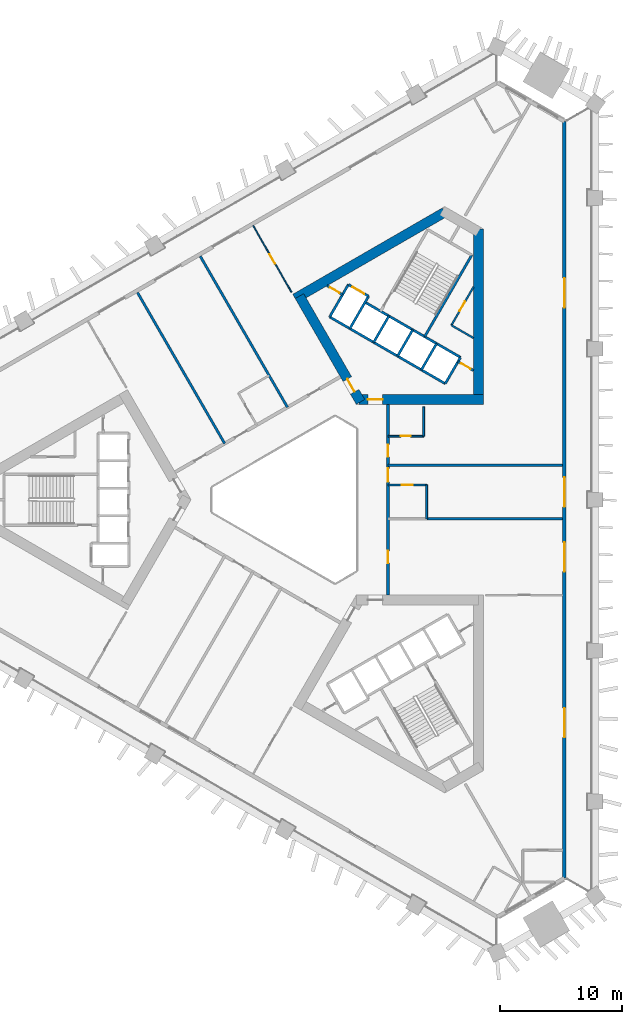
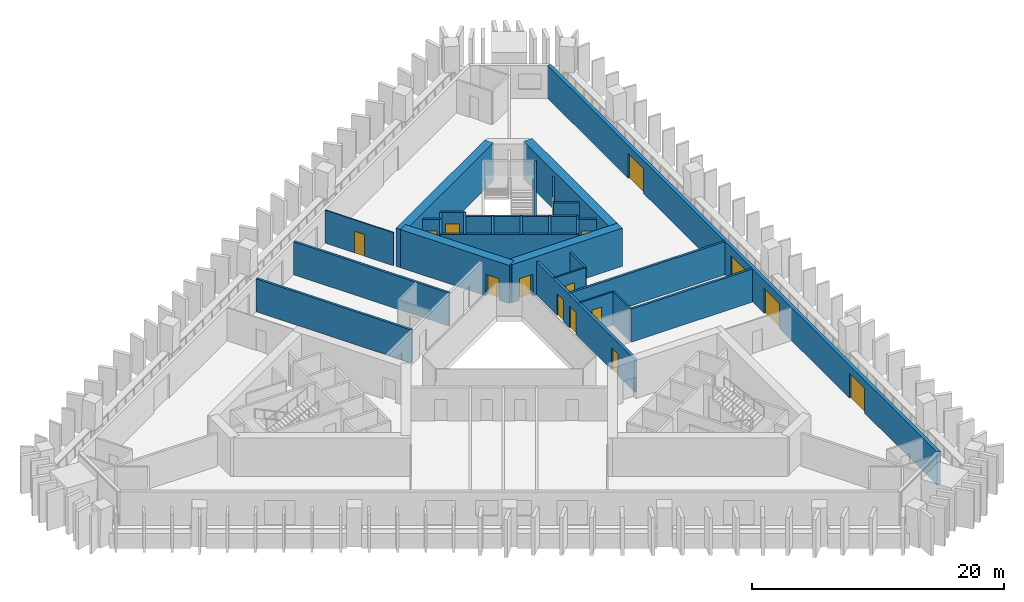
# One storey, part 5 of 10: 29 walls, 16 doors, 16 openings.
"""IFC4 building model written with IfcOpenShell, lengths in metres."""

import ifcopenshell
import ifcopenshell.guid

model = None  # the IFC model being written
_history = None  # IfcOwnerHistory: only IFC2X3 demands one
_inside = {}  # id of a spatial element -> (the spatial element, [elements in it])
_under = {}  # id of a project, library or spatial element -> (it, [spatial elements below it])
_declared = {}  # id of a project -> (the project, [libraries it declares])
_typed = {}  # id of a type object -> (the type object, [elements of that type])
_made_of = {}  # id of a material, layer set ... -> (it, [elements and type objects made of it])


def new_model(schema):
    """Start an empty IFC model of exactly this schema.

    Asked for "IFC4X3", IfcOpenShell would pick the latest addendum, in which some entities
    have other attributes; the version numbers below select the first issue.
    IFC2X3 requires an IfcOwnerHistory on every rooted entity: one is made here for all.
    """
    global model, _history
    if schema == "IFC4X3":
        model = ifcopenshell.file(schema_version=(4, 3, 0, 0))
    else:
        model = ifcopenshell.file(schema=schema)
    _inside.clear()
    _under.clear()
    _declared.clear()
    _typed.clear()
    _made_of.clear()
    _history = None
    if model.schema == "IFC2X3":
        org = make("IfcOrganization", Name="unknown")
        user = make(
            "IfcPersonAndOrganization",
            ThePerson=make("IfcPerson", FamilyName="unknown"),
            TheOrganization=org,
        )
        app = make(
            "IfcApplication",
            ApplicationDeveloper=org,
            Version="unknown",
            ApplicationFullName="unknown",
            ApplicationIdentifier="unknown",
        )
        _history = make(
            "IfcOwnerHistory",
            OwningUser=user,
            OwningApplication=app,
            ChangeAction="ADDED",
            CreationDate=0,
        )
    return model


def make(cls, **values):
    """One entity of the class cls with the attributes given. An attribute that is None is left unset."""
    return model.create_entity(
        cls, **{name: value for name, value in values.items() if value is not None}
    )


def rooted(cls, **values):
    """An entity with a GlobalId (a new one), such as an element, a storey or a relation."""
    return make(cls, GlobalId=ifcopenshell.guid.new(), OwnerHistory=_history, **values)


def si_unit(unit_type, name, prefix=None):
    """IfcSIUnit, for example si_unit("LENGTHUNIT", "METRE", prefix="MILLI")."""
    return make("IfcSIUnit", UnitType=unit_type, Prefix=prefix, Name=name)


def assignment(units):
    """IfcUnitAssignment: the units of a project."""
    return None if units is None else make("IfcUnitAssignment", Units=units)


def point(xyz):
    """IfcCartesianPoint."""
    return None if xyz is None else make("IfcCartesianPoint", Coordinates=xyz)


def direction(xyz):
    """IfcDirection."""
    return None if xyz is None else make("IfcDirection", DirectionRatios=xyz)


def frame(location, z_axis=None, x_axis=None):
    """IfcAxis2Placement3D, a coordinate frame: its origin and axes. An axis left out is left unset."""
    return make(
        "IfcAxis2Placement3D",
        Location=point(location),
        Axis=direction(z_axis),
        RefDirection=direction(x_axis),
    )


def frame_2d(location, x_axis=None):
    """IfcAxis2Placement2D, a coordinate frame in the plane: its origin and x axis."""
    return make(
        "IfcAxis2Placement2D", Location=point(location), RefDirection=direction(x_axis)
    )


def origin():
    """The frame at (0, 0, 0) with its axes left unset."""
    return frame((0.0, 0.0, 0.0))


def place(relative_to, where):
    """IfcLocalPlacement: puts the frame where relative to a parent placement (None: the world)."""
    return make(
        "IfcLocalPlacement", PlacementRelTo=relative_to, RelativePlacement=where
    )


def context(
    kind, dimensions, precision=None, world=None, true_north=None, identifier=None
):
    """IfcGeometricRepresentationContext, for example the 3D "Model" context."""
    return make(
        "IfcGeometricRepresentationContext",
        ContextIdentifier=identifier,
        ContextType=kind,
        CoordinateSpaceDimension=dimensions,
        Precision=precision,
        WorldCoordinateSystem=world,
        TrueNorth=true_north,
    )


def subcontext(parent, identifier, kind, view, scale=None):
    """IfcGeometricRepresentationSubContext, for example "Body" below "Model"."""
    return make(
        "IfcGeometricRepresentationSubContext",
        ContextIdentifier=identifier,
        ContextType=kind,
        ParentContext=parent,
        TargetScale=scale,
        TargetView=view,
    )


def project(units=None, contexts=None):
    """IfcProject with its units and contexts."""
    return rooted(
        "IfcProject",
        Name="project",
        RepresentationContexts=contexts,
        UnitsInContext=assignment(units),
    )


def spatial(cls, under=None, at=None, **own):
    """A site, building, storey or space (cls), placed at a placement, below another one or the project."""
    s = rooted(cls, ObjectPlacement=at, **own)
    if under is not None:
        _under.setdefault(under.id(), (under, []))[1].append(s)
    return s


def profile(cls, at=None, kind="AREA", **sizes):
    """A parametric profile (cls). Its sizes go by their IFC names, for example OverallWidth=200.0."""
    return make(cls, ProfileType=kind, Position=at, **sizes)


def rectangle(**sizes):
    """IfcRectangleProfileDef."""
    return profile("IfcRectangleProfileDef", **sizes)


def extrude(swept, where, along, depth):
    """IfcExtrudedAreaSolid: the profile swept, set in the frame where, extruded along a direction by depth."""
    return make(
        "IfcExtrudedAreaSolid",
        SweptArea=swept,
        Position=where,
        ExtrudedDirection=direction(along),
        Depth=depth,
    )


def shape(context_of_items, identifier, shape_type, items):
    """IfcShapeRepresentation: the items that make up one representation, for example the "Body"."""
    return make(
        "IfcShapeRepresentation",
        ContextOfItems=context_of_items,
        RepresentationIdentifier=identifier,
        RepresentationType=shape_type,
        Items=items,
    )


def material(Name=None, Category=None):
    """IfcMaterial."""
    return make("IfcMaterial", Name=Name, Category=Category)


def layer(
    of_material, thickness, ventilated=None, Name=None, Category=None, Priority=None
):
    """IfcMaterialLayer: one layer of a wall or slab, of a material (None: an air gap)."""
    return make(
        "IfcMaterialLayer",
        Material=of_material,
        LayerThickness=thickness,
        IsVentilated=ventilated,
        Name=Name,
        Category=Category,
        Priority=Priority,
    )


def layer_set(layers, Name=None):
    """IfcMaterialLayerSet."""
    return make("IfcMaterialLayerSet", MaterialLayers=layers, LayerSetName=Name)


def made_of(thing, what):
    """Note that an element or type object is made of a material, layer set ...; save() writes the relation."""
    if what is not None:
        _made_of.setdefault(what.id(), (what, []))[1].append(thing)
    return thing


def type_object(cls, material=None, **own):
    """A type object (cls), such as IfcWallType, which elements share."""
    return made_of(rooted(cls, **own), material)


def element(
    cls,
    number,
    at=None,
    inside=None,
    cuts=None,
    type_object=None,
    material=None,
    context=None,
    identifier="Body",
    shape_type=None,
    held_by="IfcProductDefinitionShape",
    body=None,
    shapes=None,
    **own,
):
    """One element of the class cls, such as IfcWall. Its Tag is "e" and its number.

    at: its placement. inside: the storey or other place that contains it. cuts: it is an
    opening in that element (IfcRelVoidsElement). A single representation is given by context,
    identifier, shape_type and body (its items); several are given by shapes. held_by: the class
    of the entity that holds the representations. save() writes the other relations.
    """
    e = rooted(cls, Tag="e%d" % number, ObjectPlacement=at, **own)
    if body is not None:
        shapes = [shape(context, identifier, shape_type, body)]
    if shapes is not None:
        e.Representation = make(held_by, Representations=shapes)
    if inside is not None:
        _inside.setdefault(inside.id(), (inside, []))[1].append(e)
    if cuts is not None:
        rooted(
            "IfcRelVoidsElement", RelatingBuildingElement=cuts, RelatedOpeningElement=e
        )
    if type_object is not None:
        _typed.setdefault(type_object.id(), (type_object, []))[1].append(e)
    return made_of(e, material)


def fill(opening, filler):
    """IfcRelFillsElement: the door or window that sits in an opening."""
    return rooted(
        "IfcRelFillsElement",
        RelatingOpeningElement=opening,
        RelatedBuildingElement=filler,
    )


def aggregate(whole, parts):
    """IfcRelAggregates: a whole, such as a stair, and the parts it consists of."""
    return rooted("IfcRelAggregates", RelatingObject=whole, RelatedObjects=parts)


def save(model, path):
    """Write the relations noted so far, then the file.

    IfcRelAggregates (storeys below a building ...), IfcRelContainedInSpatialStructure (elements
    in a storey), IfcRelDefinesByType, IfcRelAssociatesMaterial and IfcRelDeclares: one each for
    every whole, place, type object, material and project.
    """
    for whole, parts in _under.values():
        aggregate(whole, parts)
    for where, things in _inside.values():
        rooted(
            "IfcRelContainedInSpatialStructure",
            RelatedElements=things,
            RelatingStructure=where,
        )
    for kind, things in _typed.values():
        rooted("IfcRelDefinesByType", RelatedObjects=things, RelatingType=kind)
    for what, things in _made_of.values():
        rooted("IfcRelAssociatesMaterial", RelatedObjects=things, RelatingMaterial=what)
    for by, libraries in _declared.values():
        rooted("IfcRelDeclares", RelatingContext=by, RelatedDefinitions=libraries)
    model.write(path)


model = new_model("IFC4")

# Units and contexts
model_context = context("Model", 3, precision=1e-05, world=origin(), true_north=direction((0.0, 1.0)))
body_context = subcontext(model_context, "Body", "Model", "MODEL_VIEW")
ifc_project = project(units=[si_unit("LENGTHUNIT", "METRE"), si_unit("AREAUNIT", "SQUARE_METRE"), si_unit("VOLUMEUNIT", "CUBIC_METRE"), si_unit("PLANEANGLEUNIT", "RADIAN"), si_unit("MASSUNIT", "GRAM", prefix="KILO")], contexts=[model_context])

# Site, building, storey
site_placement = place(None, origin())
site = spatial("IfcSite", under=ifc_project, at=site_placement, CompositionType="ELEMENT")
building_placement = place(site_placement, origin())
building = spatial("IfcBuilding", under=site, at=building_placement, Name="Jabali Bay Hotel Tower and Convention Centre", CompositionType="ELEMENT")
storey_placement = place(building_placement, frame((0.0, 0.0, 30.0)))
storey = spatial("IfcBuildingStorey", under=building, at=storey_placement, Name="L05", CompositionType="ELEMENT", Elevation=30.0)

# Wall, opening, door
ifc_material_1 = material(Name="Concrete C40", Category="concrete")
ifc_layer_1 = layer(ifc_material_1, 0.199951171875)
ifc_layer_set_1 = layer_set([ifc_layer_1], Name="Concrete C40")
wall_type_1 = type_object("IfcWallType", Name="Core partition wall 200", PredefinedType="PARTITIONING", material=ifc_layer_set_1)
wall_1_placement = place(storey_placement, frame((89.080078125, 90.553955078125, 0.0), z_axis=(0.0, 0.0, 1.0), x_axis=(-0.866022048785, 0.500005810984, 0.0)))
wall_1 = element("IfcWall", 1, at=wall_1_placement, inside=storey, type_object=wall_type_1, Name="Core wall 1.11 L05", PredefinedType="PARTITIONING", context=body_context, shape_type="SweptSolid", body=[
    extrude(rectangle(XDim=1.466796875, YDim=0.199951171875, at=frame_2d((0.7333984375, 0.0))), origin(), (0.0, 0.0, 1.0), 3.199951171875),
])
opening_1_placement = place(wall_1_placement, frame((0.283447265625, 0.0, 0.0)))
opening_1 = element("IfcOpeningElement", 2, at=opening_1_placement, cuts=wall_1, Name="Opening D207", PredefinedType="OPENING", context=body_context, shape_type="SweptSolid", body=[
    extrude(rectangle(XDim=0.89990234375, YDim=2.10009765625, at=frame_2d((0.449951171875, 1.050048828125))), frame((0.0, 0.1103515625, 0.0), z_axis=(0.0, -1.0, 0.0), x_axis=(1.0, 0.0, 0.0)), (0.0, 0.0, 1.0), 0.220947265625),
])
ifc_material_2 = material(Name="Fire-rated steel door", Category="steel")
door_type_1 = type_object("IfcDoorType", Name="Vestibule fire door 900 x 2100", OperationType="NOTDEFINED", PredefinedType="NOTDEFINED", material=ifc_material_2)
door_1_placement = place(opening_1_placement, origin())
door_1 = element("IfcDoor", 3, at=door_1_placement, inside=storey, type_object=door_type_1, Name="Vestibule fire door D207", OperationType="SINGLE_SWING_LEFT", OverallHeight=2.10009765625, OverallWidth=0.89990234375, PredefinedType="NOTDEFINED", context=body_context, shape_type="SweptSolid", body=[
    extrude(rectangle(XDim=0.89990234375, YDim=2.10009765625, at=frame_2d((0.449951171875, 1.050048828125))), frame((0.0, 0.02490234375, 0.0), z_axis=(0.0, -1.0, 0.0), x_axis=(1.0, 0.0, 0.0)), (0.0, 0.0, 1.0), 0.050048828125),
])
fill(opening_1, door_1)

wall_2_placement = place(storey_placement, frame((78.380126953125, 96.754638671875, 0.0), z_axis=(0.0, 0.0, 1.0), x_axis=(-0.866003949776, 0.500037157592, 0.0)))
wall_2 = element("IfcWall", 4, at=wall_2_placement, inside=storey, type_object=wall_type_1, Name="Core wall 1.12 L05", PredefinedType="PARTITIONING", context=body_context, shape_type="SweptSolid", body=[
    extrude(rectangle(XDim=1.455078125, YDim=0.199951171875, at=frame_2d((0.7275390625, 0.0))), origin(), (0.0, 0.0, 1.0), 3.199951171875),
])
opening_2_placement = place(wall_2_placement, frame((0.277587890625, 0.0, 0.0)))
opening_2 = element("IfcOpeningElement", 5, at=opening_2_placement, cuts=wall_2, Name="Opening D206", PredefinedType="OPENING", context=body_context, shape_type="SweptSolid", body=[
    extrude(rectangle(XDim=0.89990234375, YDim=2.10009765625, at=frame_2d((0.449951171875, 1.050048828125))), frame((0.0, 0.1103515625, 0.0), z_axis=(0.0, -1.0, 0.0), x_axis=(1.0, 0.0, 0.0)), (0.0, 0.0, 1.0), 0.220947265625),
])
door_2_placement = place(opening_2_placement, origin())
door_2 = element("IfcDoor", 6, at=door_2_placement, inside=storey, type_object=door_type_1, Name="Vestibule fire door D206", OperationType="SINGLE_SWING_LEFT", OverallHeight=2.10009765625, OverallWidth=0.89990234375, PredefinedType="NOTDEFINED", context=body_context, shape_type="SweptSolid", body=[
    extrude(rectangle(XDim=0.89990234375, YDim=2.10009765625, at=frame_2d((0.449951171875, 1.050048828125))), frame((0.0, 0.02490234375, 0.0), z_axis=(0.0, -1.0, 0.0), x_axis=(1.0, 0.0, 0.0)), (0.0, 0.0, 1.0), 0.050048828125),
])
fill(opening_2, door_2)

ifc_material_3 = material(Name="Fire-rated board partition")
ifc_layer_2 = layer(ifc_material_3, 0.14990234375)
ifc_layer_set_2 = layer_set([ifc_layer_2], Name="Fire-rated board partition")
wall_type_2 = type_object("IfcWallType", Name="Core room partition 150", PredefinedType="PARTITIONING", material=ifc_layer_set_2)
wall_3_placement = place(storey_placement, frame((87.27099609375, 94.254150390625, 0.0), z_axis=(0.0, 0.0, 1.0), x_axis=(0.500043727655, 0.866000156139, 0.0)))
wall_3 = element("IfcWall", 7, at=wall_3_placement, inside=storey, type_object=wall_type_2, Name="Core wall 1.1 L05", PredefinedType="PARTITIONING", context=body_context, shape_type="SweptSolid", body=[
    extrude(rectangle(XDim=3.617919921875, YDim=0.14990234375, at=frame_2d((1.80908203125, 0.0))), origin(), (0.0, 0.0, 1.0), 3.199951171875),
])
opening_3_placement = place(wall_3_placement, frame((1.33154296875, 0.0, 0.0)))
opening_3 = element("IfcOpeningElement", 8, at=opening_3_placement, cuts=wall_3, Name="Opening D209", PredefinedType="OPENING", context=body_context, shape_type="SweptSolid", body=[
    extrude(rectangle(XDim=0.89990234375, YDim=2.10009765625, at=frame_2d((0.449951171875, 1.050048828125))), frame((0.0, 0.08544921875, 0.0), z_axis=(0.0, -1.0, 0.0), x_axis=(1.0, 0.0, 0.0)), (0.0, 0.0, 1.0), 0.1708984375),
])
door_type_2 = type_object("IfcDoorType", Name="Core room door 900 x 2100", OperationType="NOTDEFINED", PredefinedType="NOTDEFINED", material=ifc_material_2)
door_3_placement = place(opening_3_placement, origin())
door_3 = element("IfcDoor", 9, at=door_3_placement, inside=storey, type_object=door_type_2, Name="Core room door D209", OperationType="SINGLE_SWING_LEFT", OverallHeight=2.10009765625, OverallWidth=0.89990234375, PredefinedType="NOTDEFINED", context=body_context, shape_type="SweptSolid", body=[
    extrude(rectangle(XDim=0.89990234375, YDim=2.10009765625, at=frame_2d((0.449951171875, 1.050048828125))), frame((0.0, 0.02490234375, 0.0), z_axis=(0.0, -1.0, 0.0), x_axis=(1.0, 0.0, 0.0)), (0.0, 0.0, 1.0), 0.050048828125),
])
fill(opening_3, door_3)

# Walls
wall_4_placement = place(storey_placement, frame((89.080078125, 93.209716796875, 0.0), z_axis=(0.0, 0.0, 1.0), x_axis=(-0.866033778982, 0.499985493453, 0.0)))
element("IfcWall", 10, at=wall_4_placement, inside=storey, type_object=wall_type_2, Name="Core wall 1.15 L05", PredefinedType="PARTITIONING", context=body_context, shape_type="SweptSolid", body=[
    extrude(rectangle(XDim=2.0888671875, YDim=0.14990234375, at=frame_2d((1.04443359375, 0.0))), origin(), (0.0, 0.0, 1.0), 3.199951171875),
])
ifc_layer_3 = layer(ifc_material_1, 0.199951171875)
ifc_layer_set_3 = layer_set([ifc_layer_3], Name="Concrete C40")
wall_type_3 = type_object("IfcWallType", Name="Core stair wall 200", PredefinedType="SOLIDWALL", material=ifc_layer_set_3)
for number, where, z_axis, x_axis, name in (
    (11, (86.769775390625, 89.48583984375, 0.0), (0.0, 0.0, 1.0), (0.499961042966, 0.86604789447, 0.0), "Core wall 1.0 L05"),
    (12, (84.8212890625, 90.61083984375, 0.0), (0.0, 0.0, 1.0), (0.499961042966, 0.86604789447, 0.0), "Core wall 1.2 L05"),
):
    element("IfcWall", number, at=place(storey_placement, frame(where, z_axis=z_axis, x_axis=x_axis)), inside=storey, type_object=wall_type_3, Name=name, PredefinedType="SOLIDWALL", context=body_context, shape_type="SweptSolid", body=[
        extrude(rectangle(XDim=2.480224609375, YDim=0.199951171875, at=frame_2d((1.240234375, 0.0))), origin(), (0.0, 0.0, 1.0), 3.199951171875),
    ])
wall_5_placement = place(storey_placement, frame((85.0869140625, 93.3212890625, 0.0), z_axis=(0.0, 0.0, 1.0), x_axis=(0.500019787375, 0.866013979237, 0.0)))
element("IfcWall", 13, at=wall_5_placement, inside=storey, type_object=wall_type_3, Name="Core wall 1.3 L05", PredefinedType="SOLIDWALL", context=body_context, shape_type="SweptSolid", body=[
    extrude(rectangle(XDim=7.699951171875, YDim=0.199951171875, at=frame_2d((3.85009765625, 0.0))), origin(), (0.0, 0.0, 1.0), 3.199951171875),
])
for number, where, z_axis, x_axis, name in (
    (14, (82.872802734375, 91.73583984375, 0.0), (0.0, 0.0, 1.0), (0.499961042966, 0.86604789447, 0.0), "Core wall 1.4 L05"),
    (15, (80.924072265625, 92.86083984375, 0.0), (0.0, 0.0, 1.0), (0.499961042966, 0.86604789447, 0.0), "Core wall 1.6 L05"),
):
    element("IfcWall", number, at=place(storey_placement, frame(where, z_axis=z_axis, x_axis=x_axis)), inside=storey, type_object=wall_type_3, Name=name, PredefinedType="SOLIDWALL", context=body_context, shape_type="SweptSolid", body=[
        extrude(rectangle(XDim=2.480224609375, YDim=0.199951171875, at=frame_2d((1.240234375, 0.0))), origin(), (0.0, 0.0, 1.0), 3.199951171875),
    ])
for number, where, z_axis, x_axis, name in (
    (16, (78.9755859375, 93.98583984375, 0.0), (0.0, 0.0, 1.0), (0.499944174705, 0.866057632134, 0.0), "Core wall 1.8 L05"),
    (17, (77.330078125, 94.93603515625, 0.0), (0.0, 0.0, 1.0), (0.500038867431, 0.8660029625, 0.0), "Core wall 1.9 L05"),
):
    element("IfcWall", number, at=place(storey_placement, frame(where, z_axis=z_axis, x_axis=x_axis)), inside=storey, type_object=wall_type_3, Name=name, PredefinedType="SOLIDWALL", context=body_context, shape_type="SweptSolid", body=[
        extrude(rectangle(XDim=3.050048828125, YDim=0.199951171875, at=frame_2d((1.52490234375, 0.0))), origin(), (0.0, 0.0, 1.0), 3.199951171875),
    ])
wall_6_placement = place(storey_placement, frame((86.769775390625, 89.48583984375, 0.0), z_axis=(0.0, 0.0, 1.0), x_axis=(-0.86601811187, 0.500012629753, 0.0)))
element("IfcWall", 18, at=wall_6_placement, inside=storey, type_object=wall_type_3, Name="Core wall 1.10 L05", PredefinedType="SOLIDWALL", context=body_context, shape_type="SweptSolid", body=[
    extrude(rectangle(XDim=10.900146484375, YDim=0.199951171875, at=frame_2d((5.4501953125, 0.0))), origin(), (0.0, 0.0, 1.0), 3.199951171875),
])
wall_7_placement = place(storey_placement, frame((88.009765625, 91.6337890625, 0.0), z_axis=(0.0, 0.0, 1.0), x_axis=(-0.866024315419, 0.5000018851, 0.0)))
element("IfcWall", 19, at=wall_7_placement, inside=storey, type_object=wall_type_3, Name="Core wall 1.13 L05", PredefinedType="SOLIDWALL", context=body_context, shape_type="SweptSolid", body=[
    extrude(rectangle(XDim=9.0, YDim=0.199951171875, at=frame_2d((4.5, 0.0))), origin(), (0.0, 0.0, 1.0), 3.199951171875),
])

# Wall, opening, door
wall_8_placement = place(storey_placement, frame((80.50048828125, 96.62744140625, 0.0), z_axis=(0.0, 0.0, 1.0), x_axis=(-0.86601224135, 0.500022797313, 0.0)))
wall_8 = element("IfcWall", 20, at=wall_8_placement, inside=storey, type_object=wall_type_3, Name="Core wall 1.14 L05", PredefinedType="SOLIDWALL", context=body_context, shape_type="SweptSolid", body=[
    extrude(rectangle(XDim=1.89990234375, YDim=0.199951171875, at=frame_2d((0.949951171875, 0.0))), origin(), (0.0, 0.0, 1.0), 3.199951171875),
])
opening_4_placement = place(wall_8_placement, frame((0.39990234375, 0.0, 0.0)))
opening_4 = element("IfcOpeningElement", 21, at=opening_4_placement, cuts=wall_8, Name="Opening LD10-L05", PredefinedType="OPENING", context=body_context, shape_type="SweptSolid", body=[
    extrude(rectangle(XDim=1.10009765625, YDim=2.10009765625, at=frame_2d((0.550048828125, 1.050048828125))), frame((0.0, 0.1103515625, 0.0), z_axis=(0.0, -1.0, 0.0), x_axis=(1.0, 0.0, 0.0)), (0.0, 0.0, 1.0), 0.220947265625),
])
ifc_material_4 = material(Name="Stainless steel landing door", Category="steel")
door_type_3 = type_object("IfcDoorType", Name="Landing door 1100 x 2100", OperationType="NOTDEFINED", PredefinedType="NOTDEFINED", material=ifc_material_4)
door_4_placement = place(opening_4_placement, origin())
door_4 = element("IfcDoor", 22, at=door_4_placement, inside=storey, type_object=door_type_3, Name="Landing doors LD10-L05", OperationType="SLIDING_TO_RIGHT", OverallHeight=2.10009765625, OverallWidth=1.10009765625, PredefinedType="NOTDEFINED", context=body_context, shape_type="SweptSolid", body=[
    extrude(rectangle(XDim=1.10009765625, YDim=2.10009765625, at=frame_2d((0.550048828125, 1.050048828125))), frame((0.0, 0.02490234375, 0.0), z_axis=(0.0, -1.0, 0.0), x_axis=(1.0, 0.0, 0.0)), (0.0, 0.0, 1.0), 0.050048828125),
])
fill(opening_4, door_4)

ifc_material_5 = material(Name="Concrete C60", Category="concrete")
ifc_layer_4 = layer(ifc_material_5, 0.800048828125)
ifc_layer_set_4 = layer_set([ifc_layer_4], Name="Concrete C60")
wall_type_4 = type_object("IfcWallType", Name="Core wall 800", PredefinedType="SHEAR", material=ifc_layer_set_4)
wall_9_placement = place(storey_placement, frame((79.73095703125, 88.1943359375, 0.0), z_axis=(0.0, 0.0, 1.0), x_axis=(1.0, 0.0, 0.0)))
wall_9 = element("IfcWall", 23, at=wall_9_placement, inside=storey, type_object=wall_type_4, Name="Core wall 2.1 L05", PredefinedType="SHEAR", context=body_context, shape_type="SweptSolid", body=[
    extrude(rectangle(XDim=10.14892578125, YDim=0.800048828125, at=frame_2d((5.074462890625, 0.0))), origin(), (0.0, 0.0, 1.0), 3.699951171875),
])
opening_5_placement = place(wall_9_placement, frame((0.718994140625, 0.0, 0.0)))
opening_5 = element("IfcOpeningElement", 24, at=opening_5_placement, cuts=wall_9, Name="Opening D204", PredefinedType="OPENING", context=body_context, shape_type="SweptSolid", body=[
    extrude(rectangle(XDim=1.199951171875, YDim=2.10009765625, at=frame_2d((0.60009765625, 1.050048828125))), frame((0.0, 0.41064453125, 0.0), z_axis=(0.0, -1.0, 0.0), x_axis=(1.0, 0.0, 0.0)), (0.0, 0.0, 1.0), 0.821044921875),
])
door_type_4 = type_object("IfcDoorType", Name="Corridor end fire door 1200 x 2100", OperationType="NOTDEFINED", PredefinedType="NOTDEFINED", material=ifc_material_2)
door_5_placement = place(opening_5_placement, origin())
door_5 = element("IfcDoor", 25, at=door_5_placement, inside=storey, type_object=door_type_4, Name="Corridor end fire door D204", OperationType="SINGLE_SWING_RIGHT", OverallHeight=2.10009765625, OverallWidth=1.199951171875, PredefinedType="NOTDEFINED", context=body_context, shape_type="SweptSolid", body=[
    extrude(rectangle(XDim=1.199951171875, YDim=2.10009765625, at=frame_2d((0.60009765625, 1.050048828125))), frame((0.0, 0.02490234375, 0.0), z_axis=(0.0, -1.0, 0.0), x_axis=(1.0, 0.0, 0.0)), (0.0, 0.0, 1.0), 0.050048828125),
])
fill(opening_5, door_5)

# Walls
wall_10_placement = place(storey_placement, frame((89.47998046875, 88.1943359375, 0.0), z_axis=(0.0, 0.0, 1.0), x_axis=(0.0, 1.0, 0.0)))
element("IfcWall", 26, at=wall_10_placement, inside=storey, type_object=wall_type_4, Name="Core wall 2.2 L05", PredefinedType="SHEAR", context=body_context, shape_type="SweptSolid", body=[
    extrude(rectangle(XDim=13.933349609375, YDim=0.800048828125, at=frame_2d((6.966796875, 0.0))), origin(), (0.0, 0.0, 1.0), 3.699951171875),
])
wall_11_placement = place(storey_placement, frame((86.72314453125, 103.48828125, 0.0), z_axis=(0.0, 0.0, 1.0), x_axis=(-0.866032504327, -0.499987701298, 0.0)))
element("IfcWall", 27, at=wall_11_placement, inside=storey, type_object=wall_type_4, Name="Core wall 2.4 L05", PredefinedType="SHEAR", context=body_context, shape_type="SweptSolid", body=[
    extrude(rectangle(XDim=14.102294921875, YDim=0.800048828125, at=frame_2d((7.05126953125, 0.0))), origin(), (0.0, 0.0, 1.0), 3.699951171875),
])

# Wall, opening, door
wall_12_placement = place(storey_placement, frame((74.8564453125, 96.63720703125, 0.0), z_axis=(0.0, 0.0, 1.0), x_axis=(0.499993500917, -0.866029155999, 0.0)))
wall_12 = element("IfcWall", 28, at=wall_12_placement, inside=storey, type_object=wall_type_4, Name="Core wall 2.5 L05", PredefinedType="SHEAR", context=body_context, shape_type="SweptSolid", body=[
    extrude(rectangle(XDim=9.980224609375, YDim=0.800048828125, at=frame_2d((4.990234375, 0.0))), origin(), (0.0, 0.0, 1.0), 3.699951171875),
])
opening_6_placement = place(wall_12_placement, frame((7.830078125, 0.0, 0.0)))
opening_6 = element("IfcOpeningElement", 29, at=opening_6_placement, cuts=wall_12, Name="Opening D205", PredefinedType="OPENING", context=body_context, shape_type="SweptSolid", body=[
    extrude(rectangle(XDim=1.199951171875, YDim=2.10009765625, at=frame_2d((0.60009765625, 1.050048828125))), frame((0.0, 0.41064453125, 0.0), z_axis=(0.0, -1.0, 0.0), x_axis=(1.0, 0.0, 0.0)), (0.0, 0.0, 1.0), 0.821044921875),
])
door_6_placement = place(opening_6_placement, origin())
door_6 = element("IfcDoor", 30, at=door_6_placement, inside=storey, type_object=door_type_4, Name="Corridor end fire door D205", OperationType="SINGLE_SWING_LEFT", OverallHeight=2.10009765625, OverallWidth=1.199951171875, PredefinedType="NOTDEFINED", context=body_context, shape_type="SweptSolid", body=[
    extrude(rectangle(XDim=1.199951171875, YDim=2.10009765625, at=frame_2d((0.60009765625, 1.050048828125))), frame((0.0, 0.02490234375, 0.0), z_axis=(0.0, -1.0, 0.0), x_axis=(1.0, 0.0, 0.0)), (0.0, 0.0, 1.0), 0.050048828125),
])
fill(opening_6, door_6)

# Wall, openings, doors
ifc_layer_5 = layer(ifc_material_5, 0.25)
ifc_layer_set_5 = layer_set([ifc_layer_5], Name="Concrete C60")
wall_type_5 = type_object("IfcWallType", Name="Corridor wall 250", PredefinedType="SHEAR", material=ifc_layer_set_5)
wall_13_placement = place(storey_placement, frame((82.10009765625, 72.205810546875, 0.0), z_axis=(0.0, 0.0, 1.0), x_axis=(0.0, 1.0, 0.0)))
wall_13 = element("IfcWall", 31, at=wall_13_placement, inside=storey, type_object=wall_type_5, Name="Corridor wall 1 L05", PredefinedType="SHEAR", context=body_context, shape_type="SweptSolid", body=[
    extrude(rectangle(XDim=15.58837890625, YDim=0.25, at=frame_2d((7.794189453125, 0.0))), origin(), (0.0, 0.0, 1.0), 3.199951171875),
])
opening_7_placement = place(wall_13_placement, frame((2.61767578125, 0.0, 0.0)))
opening_7 = element("IfcOpeningElement", 32, at=opening_7_placement, cuts=wall_13, Name="Opening 0501", PredefinedType="OPENING", context=body_context, shape_type="SweptSolid", body=[
    extrude(rectangle(XDim=1.0, YDim=2.10009765625, at=frame_2d((0.5, 1.050048828125))), frame((0.0, 0.135498046875, 0.0), z_axis=(0.0, -1.0, 0.0), x_axis=(1.0, 0.0, 0.0)), (0.0, 0.0, 1.0), 0.27099609375),
])
opening_8_placement = place(wall_13_placement, frame((9.250244140625, 0.0, 0.0)))
opening_8 = element("IfcOpeningElement", 33, at=opening_8_placement, cuts=wall_13, Name="Opening 0505", PredefinedType="OPENING", context=body_context, shape_type="SweptSolid", body=[
    extrude(rectangle(XDim=1.10009765625, YDim=2.10009765625, at=frame_2d((0.550048828125, 1.050048828125))), frame((0.0, 0.135498046875, 0.0), z_axis=(0.0, -1.0, 0.0), x_axis=(1.0, 0.0, 0.0)), (0.0, 0.0, 1.0), 0.27099609375),
])
opening_9_placement = place(wall_13_placement, frame((11.294189453125, 0.0, 0.0)))
opening_9 = element("IfcOpeningElement", 34, at=opening_9_placement, cuts=wall_13, Name="Opening 0507", PredefinedType="OPENING", context=body_context, shape_type="SweptSolid", body=[
    extrude(rectangle(XDim=1.0, YDim=2.10009765625, at=frame_2d((0.5, 1.050048828125))), frame((0.0, 0.135498046875, 0.0), z_axis=(0.0, -1.0, 0.0), x_axis=(1.0, 0.0, 0.0)), (0.0, 0.0, 1.0), 0.27099609375),
])
ifc_material_6 = material(Name="Timber", Category="wood")
door_type_5 = type_object("IfcDoorType", Name="Accessible guest room door 1100 x 2100", OperationType="NOTDEFINED", PredefinedType="NOTDEFINED", material=ifc_material_6)
door_7_placement = place(opening_8_placement, origin())
door_7 = element("IfcDoor", 35, at=door_7_placement, inside=storey, type_object=door_type_5, Name="Door 0505", OperationType="SINGLE_SWING_RIGHT", OverallHeight=2.10009765625, OverallWidth=1.10009765625, PredefinedType="NOTDEFINED", context=body_context, shape_type="SweptSolid", body=[
    extrude(rectangle(XDim=1.10009765625, YDim=2.10009765625, at=frame_2d((0.550048828125, 1.050048828125))), frame((0.0, 0.02490234375, 0.0), z_axis=(0.0, -1.0, 0.0), x_axis=(1.0, 0.0, 0.0)), (0.0, 0.0, 1.0), 0.050048828125),
])
fill(opening_8, door_7)
door_type_6 = type_object("IfcDoorType", Name="Guest room door 1000 x 2100", OperationType="NOTDEFINED", PredefinedType="NOTDEFINED", material=ifc_material_6)
door_8_placement = place(opening_7_placement, origin())
door_8 = element("IfcDoor", 36, at=door_8_placement, inside=storey, type_object=door_type_6, Name="Door 0501", OperationType="SINGLE_SWING_LEFT", OverallHeight=2.10009765625, OverallWidth=1.0, PredefinedType="NOTDEFINED", context=body_context, shape_type="SweptSolid", body=[
    extrude(rectangle(XDim=1.0, YDim=2.10009765625, at=frame_2d((0.5, 1.050048828125))), frame((0.0, 0.02490234375, 0.0), z_axis=(0.0, -1.0, 0.0), x_axis=(1.0, 0.0, 0.0)), (0.0, 0.0, 1.0), 0.050048828125),
])
fill(opening_7, door_8)
door_9_placement = place(opening_9_placement, origin())
door_9 = element("IfcDoor", 37, at=door_9_placement, inside=storey, type_object=door_type_6, Name="Door 0507", OperationType="SINGLE_SWING_RIGHT", OverallHeight=2.10009765625, OverallWidth=1.0, PredefinedType="NOTDEFINED", context=body_context, shape_type="SweptSolid", body=[
    extrude(rectangle(XDim=1.0, YDim=2.10009765625, at=frame_2d((0.5, 1.050048828125))), frame((0.0, 0.02490234375, 0.0), z_axis=(0.0, -1.0, 0.0), x_axis=(1.0, 0.0, 0.0)), (0.0, 0.0, 1.0), 0.050048828125),
])
fill(opening_9, door_9)

ifc_layer_6 = layer(ifc_material_1, 0.300048828125)
ifc_layer_set_6 = layer_set([ifc_layer_6], Name="Concrete C40")
wall_type_6 = type_object("IfcWallType", Name="External wall 300", PredefinedType="SOLIDWALL", material=ifc_layer_set_6)
wall_14_placement = place(storey_placement, frame((96.5, 110.912353515625, 0.0), z_axis=(0.0, 0.0, 1.0), x_axis=(0.0, -1.0, 0.0)))
wall_14 = element("IfcWall", 38, at=wall_14_placement, inside=storey, type_object=wall_type_6, Name="External wall east face L05", PredefinedType="SOLIDWALL", context=body_context, shape_type="SweptSolid", body=[
    extrude(rectangle(XDim=61.82470703125, YDim=0.300048828125, at=frame_2d((30.912353515625, 0.0))), origin(), (0.0, 0.0, 1.0), 3.199951171875),
])
opening_10_placement = place(wall_14_placement, frame((29.0888671875, 0.0, 0.0)))
opening_10 = element("IfcOpeningElement", 39, at=opening_10_placement, cuts=wall_14, Name="Opening SD1", PredefinedType="OPENING", context=body_context, shape_type="SweptSolid", body=[
    extrude(rectangle(XDim=2.39990234375, YDim=2.39990234375, at=frame_2d((1.199951171875, 1.199951171875))), frame((0.0, 0.16064453125, 0.0), z_axis=(0.0, -1.0, 0.0), x_axis=(1.0, 0.0, 0.0)), (0.0, 0.0, 1.0), 0.321044921875),
])
opening_11_placement = place(wall_14_placement, frame((34.388916015625, 0.0, 0.0)))
opening_11 = element("IfcOpeningElement", 40, at=opening_11_placement, cuts=wall_14, Name="Opening SD1", PredefinedType="OPENING", context=body_context, shape_type="SweptSolid", body=[
    extrude(rectangle(XDim=2.39990234375, YDim=2.39990234375, at=frame_2d((1.199951171875, 1.199951171875))), frame((0.0, 0.16064453125, 0.0), z_axis=(0.0, -1.0, 0.0), x_axis=(1.0, 0.0, 0.0)), (0.0, 0.0, 1.0), 0.321044921875),
])
opening_12_placement = place(wall_14_placement, frame((47.930419921875, 0.0, 0.0)))
opening_12 = element("IfcOpeningElement", 41, at=opening_12_placement, cuts=wall_14, Name="Opening SD1", PredefinedType="OPENING", context=body_context, shape_type="SweptSolid", body=[
    extrude(rectangle(XDim=2.39990234375, YDim=2.39990234375, at=frame_2d((1.199951171875, 1.199951171875))), frame((0.0, 0.16064453125, 0.0), z_axis=(0.0, -1.0, 0.0), x_axis=(1.0, 0.0, 0.0)), (0.0, 0.0, 1.0), 0.321044921875),
])
opening_13_placement = place(wall_14_placement, frame((12.809814453125, 0.0, 0.0)))
opening_13 = element("IfcOpeningElement", 42, at=opening_13_placement, cuts=wall_14, Name="Opening SD1", PredefinedType="OPENING", context=body_context, shape_type="SweptSolid", body=[
    extrude(rectangle(XDim=2.39990234375, YDim=2.39990234375, at=frame_2d((1.199951171875, 1.199951171875))), frame((0.0, 0.16064453125, 0.0), z_axis=(0.0, -1.0, 0.0), x_axis=(1.0, 0.0, 0.0)), (0.0, 0.0, 1.0), 0.321044921875),
])
ifc_material_7 = material(Name="Glass", Category="glass")
door_type_7 = type_object("IfcDoorType", Name="Loggia sliding door 2400 x 2400", OperationType="NOTDEFINED", PredefinedType="NOTDEFINED", material=ifc_material_7)
door_10_placement = place(opening_10_placement, origin())
door_10 = element("IfcDoor", 43, at=door_10_placement, inside=storey, type_object=door_type_7, Name="Loggia sliding door 502", OperationType="SLIDING_TO_LEFT", OverallHeight=2.39990234375, OverallWidth=2.39990234375, PredefinedType="NOTDEFINED", context=body_context, shape_type="SweptSolid", body=[
    extrude(rectangle(XDim=2.39990234375, YDim=2.39990234375, at=frame_2d((1.199951171875, 1.199951171875))), frame((0.0, 0.02490234375, 0.0), z_axis=(0.0, -1.0, 0.0), x_axis=(1.0, 0.0, 0.0)), (0.0, 0.0, 1.0), 0.050048828125),
])
fill(opening_10, door_10)
door_11_placement = place(opening_11_placement, origin())
door_11 = element("IfcDoor", 44, at=door_11_placement, inside=storey, type_object=door_type_7, Name="Loggia sliding door 501", OperationType="SLIDING_TO_RIGHT", OverallHeight=2.39990234375, OverallWidth=2.39990234375, PredefinedType="NOTDEFINED", context=body_context, shape_type="SweptSolid", body=[
    extrude(rectangle(XDim=2.39990234375, YDim=2.39990234375, at=frame_2d((1.199951171875, 1.199951171875))), frame((0.0, 0.02490234375, 0.0), z_axis=(0.0, -1.0, 0.0), x_axis=(1.0, 0.0, 0.0)), (0.0, 0.0, 1.0), 0.050048828125),
])
fill(opening_11, door_11)
door_12_placement = place(opening_12_placement, origin())
door_12 = element("IfcDoor", 45, at=door_12_placement, inside=storey, type_object=door_type_7, Name="Loggia sliding door 501", OperationType="SLIDING_TO_LEFT", OverallHeight=2.39990234375, OverallWidth=2.39990234375, PredefinedType="NOTDEFINED", context=body_context, shape_type="SweptSolid", body=[
    extrude(rectangle(XDim=2.39990234375, YDim=2.39990234375, at=frame_2d((1.199951171875, 1.199951171875))), frame((0.0, 0.02490234375, 0.0), z_axis=(0.0, -1.0, 0.0), x_axis=(1.0, 0.0, 0.0)), (0.0, 0.0, 1.0), 0.050048828125),
])
fill(opening_12, door_12)
door_13_placement = place(opening_13_placement, origin())
door_13 = element("IfcDoor", 46, at=door_13_placement, inside=storey, type_object=door_type_7, Name="Loggia sliding door 503", OperationType="SLIDING_TO_RIGHT", OverallHeight=2.39990234375, OverallWidth=2.39990234375, PredefinedType="NOTDEFINED", context=body_context, shape_type="SweptSolid", body=[
    extrude(rectangle(XDim=2.39990234375, YDim=2.39990234375, at=frame_2d((1.199951171875, 1.199951171875))), frame((0.0, 0.02490234375, 0.0), z_axis=(0.0, -1.0, 0.0), x_axis=(1.0, 0.0, 0.0)), (0.0, 0.0, 1.0), 0.050048828125),
])
fill(opening_13, door_13)

# Wall, opening, door
ifc_material_8 = material(Name="Plasterboard on steel stud", Category="steel")
ifc_layer_7 = layer(ifc_material_8, 0.10009765625)
ifc_layer_set_7 = layer_set([ifc_layer_7], Name="Plasterboard on steel stud")
wall_type_7 = type_object("IfcWallType", Name="Partition 100 unit", PredefinedType="PARTITIONING", material=ifc_layer_set_7)
wall_15_placement = place(storey_placement, frame((74.21044921875, 96.955810546875, 0.0), z_axis=(0.0, 0.0, 1.0), x_axis=(-0.499986391729, 0.866033260381, 0.0)))
wall_15 = element("IfcWall", 47, at=wall_15_placement, inside=storey, type_object=wall_type_7, Name="Partition P02 L05 014", PredefinedType="PARTITIONING", context=body_context, shape_type="SweptSolid", body=[
    extrude(rectangle(XDim=6.272216796875, YDim=0.10009765625, at=frame_2d((3.13623046875, 0.0))), origin(), (0.0, 0.0, 1.0), 3.199951171875),
])
opening_14_placement = place(wall_15_placement, frame((2.68603515625, 0.0, 0.0)))
opening_14 = element("IfcOpeningElement", 48, at=opening_14_placement, cuts=wall_15, Name="Opening 0509", PredefinedType="OPENING", context=body_context, shape_type="SweptSolid", body=[
    extrude(rectangle(XDim=0.89990234375, YDim=2.10009765625, at=frame_2d((0.449951171875, 1.050048828125))), frame((0.0, 0.060546875, 0.0), z_axis=(0.0, -1.0, 0.0), x_axis=(1.0, 0.0, 0.0)), (0.0, 0.0, 1.0), 0.12109375),
])
door_type_8 = type_object("IfcDoorType", Name="Internal door 900 x 2100", OperationType="NOTDEFINED", PredefinedType="NOTDEFINED", material=ifc_material_6)
door_14_placement = place(opening_14_placement, origin())
door_14 = element("IfcDoor", 49, at=door_14_placement, inside=storey, type_object=door_type_8, Name="Door 0509", OperationType="SINGLE_SWING_LEFT", OverallHeight=2.10009765625, OverallWidth=0.89990234375, PredefinedType="NOTDEFINED", context=body_context, shape_type="SweptSolid", body=[
    extrude(rectangle(XDim=0.89990234375, YDim=2.10009765625, at=frame_2d((0.449951171875, 1.050048828125))), frame((0.0, 0.02490234375, 0.0), z_axis=(0.0, -1.0, 0.0), x_axis=(1.0, 0.0, 0.0)), (0.0, 0.0, 1.0), 0.050048828125),
])
fill(opening_14, door_14)

ifc_layer_8 = layer(ifc_material_8, 0.14990234375)
ifc_layer_set_8 = layer_set([ifc_layer_8], Name="Plasterboard on steel stud")
wall_type_8 = type_object("IfcWallType", Name="Partition 150 wet", PredefinedType="PARTITIONING", material=ifc_layer_set_8)
wall_16_placement = place(storey_placement, frame((82.10009765625, 81.205810546875, 0.0), z_axis=(0.0, 0.0, 1.0), x_axis=(1.0, 0.0, 0.0)))
wall_16 = element("IfcWall", 50, at=wall_16_placement, inside=storey, type_object=wall_type_8, Name="Partition P03 L05 008", PredefinedType="PARTITIONING", context=body_context, shape_type="SweptSolid", body=[
    extrude(rectangle(XDim=3.146728515625, YDim=0.14990234375, at=frame_2d((1.5732421875, 0.0))), origin(), (0.0, 0.0, 1.0), 3.199951171875),
])
opening_15_placement = place(wall_16_placement, frame((1.123046875, 0.0, 0.0)))
opening_15 = element("IfcOpeningElement", 51, at=opening_15_placement, cuts=wall_16, Name="Opening 0504", PredefinedType="OPENING", context=body_context, shape_type="SweptSolid", body=[
    extrude(rectangle(XDim=0.89990234375, YDim=2.10009765625, at=frame_2d((0.449951171875, 1.050048828125))), frame((0.0, 0.08544921875, 0.0), z_axis=(0.0, -1.0, 0.0), x_axis=(1.0, 0.0, 0.0)), (0.0, 0.0, 1.0), 0.1708984375),
])
door_type_9 = type_object("IfcDoorType", Name="Accessible en-suite door 900 x 2100", OperationType="NOTDEFINED", PredefinedType="NOTDEFINED", material=ifc_material_6)
door_15_placement = place(opening_15_placement, origin())
door_15 = element("IfcDoor", 52, at=door_15_placement, inside=storey, type_object=door_type_9, Name="Door 0504", OperationType="SINGLE_SWING_LEFT", OverallHeight=2.10009765625, OverallWidth=0.89990234375, PredefinedType="NOTDEFINED", context=body_context, shape_type="SweptSolid", body=[
    extrude(rectangle(XDim=0.89990234375, YDim=2.10009765625, at=frame_2d((0.449951171875, 1.050048828125))), frame((0.0, 0.02490234375, 0.0), z_axis=(0.0, -1.0, 0.0), x_axis=(1.0, 0.0, 0.0)), (0.0, 0.0, 1.0), 0.050048828125),
])
fill(opening_15, door_15)

# Walls
wall_17_placement = place(storey_placement, frame((85.246826171875, 81.205810546875, 0.0), z_axis=(0.0, 0.0, 1.0), x_axis=(0.0, -1.0, 0.0)))
element("IfcWall", 53, at=wall_17_placement, inside=storey, type_object=wall_type_8, Name="Partition P03 L05 009", PredefinedType="PARTITIONING", context=body_context, shape_type="SweptSolid", body=[
    extrude(rectangle(XDim=2.7646484375, YDim=0.14990234375, at=frame_2d((1.38232421875, 0.0))), origin(), (0.0, 0.0, 1.0), 3.199951171875),
])
wall_18_placement = place(storey_placement, frame((85.0, 87.59521484375, 0.0), z_axis=(0.0, 0.0, 1.0), x_axis=(0.0, -1.0, 0.0)))
element("IfcWall", 54, at=wall_18_placement, inside=storey, type_object=wall_type_8, Name="Partition P03 L05 011", PredefinedType="PARTITIONING", context=body_context, shape_type="SweptSolid", body=[
    extrude(rectangle(XDim=2.40087890625, YDim=0.14990234375, at=frame_2d((1.200439453125, 0.0))), origin(), (0.0, 0.0, 1.0), 3.199951171875),
])

# Wall, opening, door
wall_19_placement = place(storey_placement, frame((85.0, 85.1943359375, 0.0), z_axis=(0.0, 0.0, 1.0), x_axis=(-1.0, 0.0, 0.0)))
wall_19 = element("IfcWall", 55, at=wall_19_placement, inside=storey, type_object=wall_type_8, Name="Partition P03 L05 012", PredefinedType="PARTITIONING", context=body_context, shape_type="SweptSolid", body=[
    extrude(rectangle(XDim=2.89990234375, YDim=0.14990234375, at=frame_2d((1.449951171875, 0.0))), origin(), (0.0, 0.0, 1.0), 3.199951171875),
])
opening_16_placement = place(wall_19_placement, frame((1.050048828125, 0.0, 0.0)))
opening_16 = element("IfcOpeningElement", 56, at=opening_16_placement, cuts=wall_19, Name="Opening 0506", PredefinedType="OPENING", context=body_context, shape_type="SweptSolid", body=[
    extrude(rectangle(XDim=0.800048828125, YDim=2.10009765625, at=frame_2d((0.39990234375, 1.050048828125))), frame((0.0, 0.08544921875, 0.0), z_axis=(0.0, -1.0, 0.0), x_axis=(1.0, 0.0, 0.0)), (0.0, 0.0, 1.0), 0.1708984375),
])
door_type_10 = type_object("IfcDoorType", Name="En-suite door 800 x 2100", OperationType="NOTDEFINED", PredefinedType="NOTDEFINED", material=ifc_material_6)
door_16_placement = place(opening_16_placement, origin())
door_16 = element("IfcDoor", 57, at=door_16_placement, inside=storey, type_object=door_type_10, Name="Door 0506", OperationType="SINGLE_SWING_LEFT", OverallHeight=2.10009765625, OverallWidth=0.800048828125, PredefinedType="NOTDEFINED", context=body_context, shape_type="SweptSolid", body=[
    extrude(rectangle(XDim=0.800048828125, YDim=2.10009765625, at=frame_2d((0.39990234375, 1.050048828125))), frame((0.0, 0.02490234375, 0.0), z_axis=(0.0, -1.0, 0.0), x_axis=(1.0, 0.0, 0.0)), (0.0, 0.0, 1.0), 0.050048828125),
])
fill(opening_16, door_16)

# Walls
ifc_layer_9 = layer(ifc_material_8, 0.199951171875)
ifc_layer_set_9 = layer_set([ifc_layer_9], Name="Plasterboard on steel stud")
wall_type_9 = type_object("IfcWallType", Name="Partition 200 party", PredefinedType="PARTITIONING", material=ifc_layer_set_9)
wall_20_placement = place(storey_placement, frame((96.35107421875, 78.441162109375, 0.0), z_axis=(0.0, 0.0, 1.0), x_axis=(-1.0, 0.0, 0.0)))
element("IfcWall", 58, at=wall_20_placement, inside=storey, type_object=wall_type_9, Name="Partition P01 L05 002", PredefinedType="PARTITIONING", context=body_context, shape_type="SweptSolid", body=[
    extrude(rectangle(XDim=11.104248046875, YDim=0.199951171875, at=frame_2d((5.55224609375, 0.0))), origin(), (0.0, 0.0, 1.0), 3.199951171875),
])
for number, where, z_axis, x_axis, name in (
    (59, (96.35107421875, 82.805908203125, 0.0), (0.0, 0.0, 1.0), (-1.0, 0.0, 0.0), "Partition P01 L05 010"),
    (60, (66.75439453125, 99.8935546875, 0.0), (0.0, 0.0, 1.0), (0.499997291418, -0.866026967579, 0.0), "Partition P01 L05 015"),
    (61, (61.62451171875, 96.931640625, 0.0), (0.0, 0.0, 1.0), (0.499997291418, -0.866026967579, 0.0), "Partition P01 L05 021"),
):
    element("IfcWall", number, at=place(storey_placement, frame(where, z_axis=z_axis, x_axis=x_axis)), inside=storey, type_object=wall_type_9, Name=name, PredefinedType="PARTITIONING", context=body_context, shape_type="SweptSolid", body=[
        extrude(rectangle(XDim=14.2509765625, YDim=0.199951171875, at=frame_2d((7.12548828125, 0.0))), origin(), (0.0, 0.0, 1.0), 3.199951171875),
    ])

save(model, "model.ifc")
